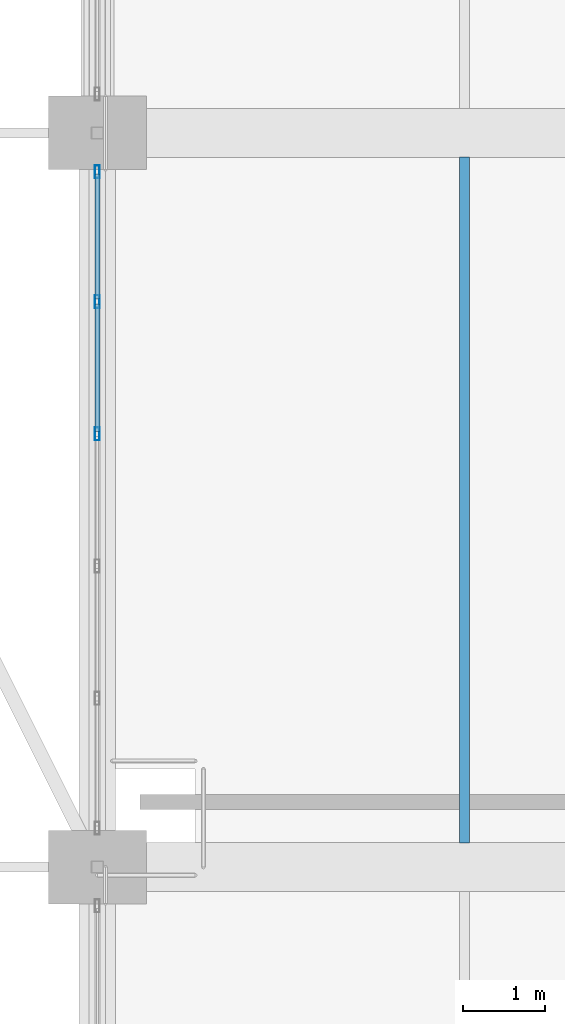
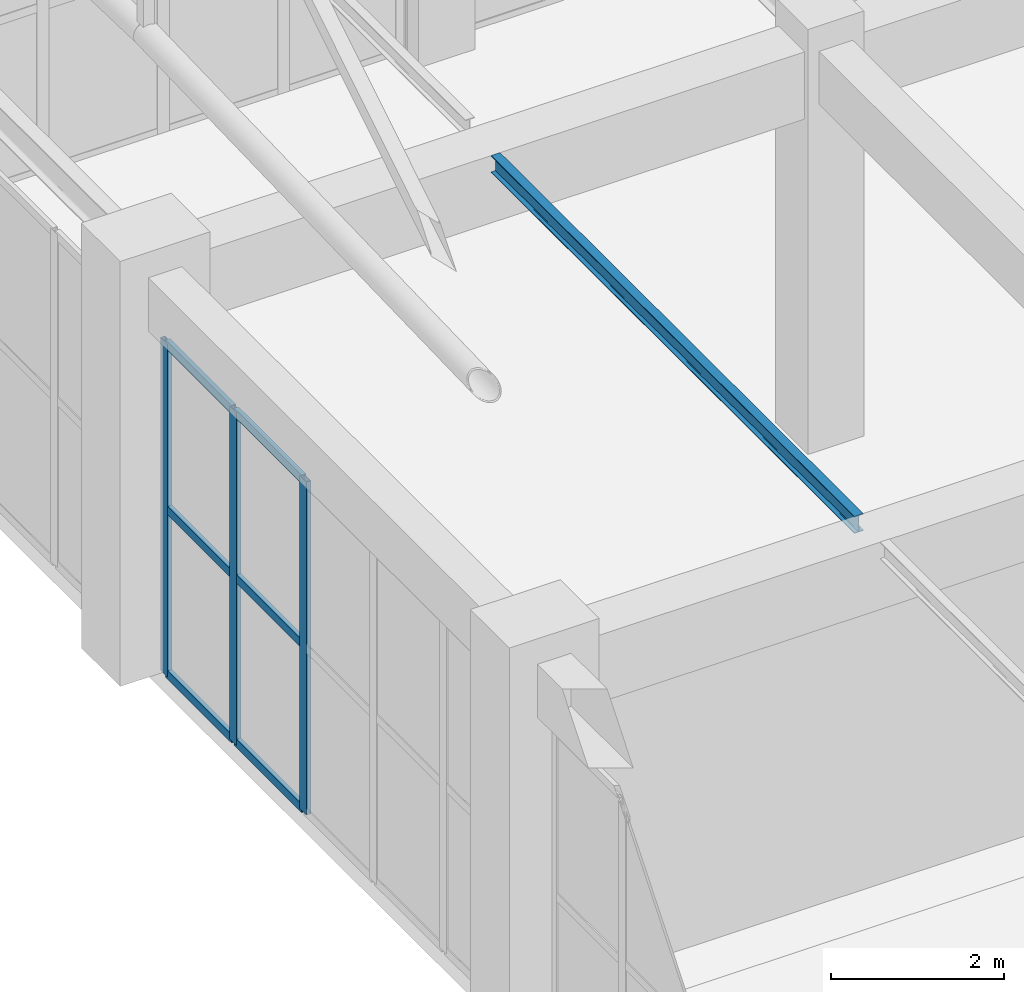
# One storey, part 144 of 223: 9 members, 1 beam, 1 element without a shape of its own.
"""IFC4 building model written with IfcOpenShell, lengths in metres."""

from ifc_helpers import new_model, si_unit, direction, frame, origin, origin_2d, place, context, subcontext, project, spatial, hollow_rectangle, i_section, extrude, material, layer, layer_set, material_profile, profile_set, type_object, element, aggregate, save


model = new_model("IFC4")

# Units and contexts
model_context = context("Model", 3, precision=1e-05, world=origin(), true_north=direction((0.0, 1.0)))
body_context = subcontext(model_context, "Body", "Model", "MODEL_VIEW")
ifc_project = project(units=[si_unit("LENGTHUNIT", "METRE"), si_unit("AREAUNIT", "SQUARE_METRE"), si_unit("VOLUMEUNIT", "CUBIC_METRE"), si_unit("PLANEANGLEUNIT", "RADIAN"), si_unit("MASSUNIT", "GRAM", prefix="KILO")], contexts=[model_context])

# Site, building, storey
site_placement = place(None, origin())
site = spatial("IfcSite", under=ifc_project, at=site_placement, CompositionType="ELEMENT")
building_placement = place(site_placement, origin())
building = spatial("IfcBuilding", under=site, at=building_placement, Name="Dornveld Trade and Exhibition Forum", CompositionType="ELEMENT")
storey_placement = place(building_placement, frame((0.0, 0.0, 6.0)))
storey = spatial("IfcBuildingStorey", under=building, at=storey_placement, Name="L01", CompositionType="ELEMENT", Elevation=6.0)

# Beam
ifc_material_1 = material(Name="Steel S355J2", Category="steel")
ifc_material_profile_1 = material_profile(ifc_material_1, i_section(OverallWidth=0.1201171875, OverallDepth=0.239990234375, WebThickness=0.006103515625, FlangeThickness=0.009765625, FilletRadius=0.014892578125, at=origin_2d()), Name="IPE 240")
ifc_profile_set_1 = profile_set([ifc_material_profile_1], Name="Steel S355J2")
beam_type = type_object("IfcBeamType", Name="BM-JOIST-240", PredefinedType="JOIST", material=ifc_profile_set_1)
beam_placement = place(storey_placement, frame((175.5, 126.297119140625, 5.52001953125), z_axis=(0.0, 1.0, 0.0), x_axis=(-1.0, 0.0, 0.0)))
element("IfcBeam", 1, at=beam_placement, inside=storey, type_object=beam_type, Name="L01 secondary joist 1366", PredefinedType="JOIST", context=body_context, shape_type="SweptSolid", body=[
    extrude(i_section(OverallWidth=0.1201171875, OverallDepth=0.239990234375, WebThickness=0.006103515625, FlangeThickness=0.009765625, FilletRadius=0.014892578125, at=origin_2d()), origin(), (0.0, 0.0, 1.0), 8.40576171875),
])

# Curtain wall, members
ifc_material_2 = material(Name="Dark-bronze anodised aluminium and low-E glass", Category="aluminium")
ifc_layer = layer(ifc_material_2, 0.175048828125)
ifc_layer_set = layer_set([ifc_layer], Name="Dark-bronze anodised aluminium and low-E glass")
curtain_wall_type = type_object("IfcCurtainWallType", Name="CW-SYS-11", PredefinedType="USERDEFINED", material=ifc_layer_set)
curtain_wall_placement = place(storey_placement, origin())
curtain_wall = element("IfcCurtainWall", 2, at=curtain_wall_placement, inside=storey, type_object=curtain_wall_type, Name="L01 unitised curtain wall 11", ObjectType="UNITISED_CURTAIN_WALL", PredefinedType="USERDEFINED")
ifc_material_3 = material(Name="Dark-bronze anodised aluminium", Category="aluminium")
ifc_material_profile_2 = material_profile(ifc_material_3, hollow_rectangle(XDim=0.06005859375, YDim=0.159912109375, WallThickness=0.00390625, at=origin_2d()), Name="RHS 160x60x4")
ifc_profile_set_2 = profile_set([ifc_material_profile_2], Name="Dark-bronze anodised aluminium")
member_type_1 = type_object("IfcMemberType", Name="CW-MUL-160", PredefinedType="MULLION", material=ifc_profile_set_2)
member_1_placement = place(storey_placement, frame((171.0, 131.310791015625, -0.00390625), z_axis=(0.0, 0.0, 1.0), x_axis=(-1.0, 0.0, 0.0)))
member_1 = element("IfcMember", 3, at=member_1_placement, type_object=member_type_1, Name="CW-11 mullion 4", PredefinedType="MULLION", context=body_context, shape_type="SweptSolid", body=[
    extrude(hollow_rectangle(XDim=0.06005859375, YDim=0.159912109375, WallThickness=0.00390625, at=origin_2d()), origin(), (0.0, 0.0, 1.0), 4.703857421875),
])
member_2_placement = place(storey_placement, frame((171.0, 132.932373046875, -0.00390625), z_axis=(0.0, 0.0, 1.0), x_axis=(-1.0, 0.0, 0.0)))
member_2 = element("IfcMember", 4, at=member_2_placement, type_object=member_type_1, Name="CW-11 mullion 5", PredefinedType="MULLION", context=body_context, shape_type="SweptSolid", body=[
    extrude(hollow_rectangle(XDim=0.06005859375, YDim=0.159912109375, WallThickness=0.00390625, at=origin_2d()), origin(), (0.0, 0.0, 1.0), 4.703857421875),
])
member_3_placement = place(storey_placement, frame((171.0, 134.52392578125, -0.00390625), z_axis=(0.0, 0.0, 1.0), x_axis=(-1.0, 0.0, 0.0)))
member_3 = element("IfcMember", 5, at=member_3_placement, type_object=member_type_1, Name="CW-11 mullion 6", PredefinedType="MULLION", context=body_context, shape_type="SweptSolid", body=[
    extrude(hollow_rectangle(XDim=0.06005859375, YDim=0.159912109375, WallThickness=0.00390625, at=origin_2d()), origin(), (0.0, 0.0, 1.0), 4.703857421875),
])
ifc_material_4 = material(Name="Dark-bronze anodised aluminium", Category="aluminium")
ifc_material_profile_3 = material_profile(ifc_material_4, hollow_rectangle(XDim=0.06005859375, YDim=0.1201171875, WallThickness=0.00390625, at=origin_2d()), Name="RHS 120x60x4")
ifc_profile_set_3 = profile_set([ifc_material_profile_3], Name="Dark-bronze anodised aluminium")
member_type_2 = type_object("IfcMemberType", Name="CW-TRN-120", PredefinedType="USERDEFINED", material=ifc_profile_set_3)
member_4_placement = place(storey_placement, frame((171.0, 131.3408203125, 0.02587890625), z_axis=(0.0, 1.0, 0.0), x_axis=(-1.0, 0.0, 0.0)))
member_4 = element("IfcMember", 6, at=member_4_placement, type_object=member_type_2, Name="CW-11 transom 4.1", ObjectType="TRANSOM", PredefinedType="USERDEFINED", context=body_context, shape_type="SweptSolid", body=[
    extrude(hollow_rectangle(XDim=0.06005859375, YDim=0.1201171875, WallThickness=0.00390625, at=origin_2d()), origin(), (0.0, 0.0, 1.0), 1.5615234375),
])
member_5_placement = place(storey_placement, frame((171.0, 131.3408203125, 2.347900390625), z_axis=(0.0, 1.0, 0.0), x_axis=(-1.0, 0.0, 0.0)))
member_5 = element("IfcMember", 7, at=member_5_placement, type_object=member_type_2, Name="CW-11 transom 4.2", ObjectType="TRANSOM", PredefinedType="USERDEFINED", context=body_context, shape_type="SweptSolid", body=[
    extrude(hollow_rectangle(XDim=0.06005859375, YDim=0.1201171875, WallThickness=0.00390625, at=origin_2d()), origin(), (0.0, 0.0, 1.0), 1.5615234375),
])
member_6_placement = place(storey_placement, frame((171.0, 131.3408203125, 4.669921875), z_axis=(0.0, 1.0, 0.0), x_axis=(-1.0, 0.0, 0.0)))
member_6 = element("IfcMember", 8, at=member_6_placement, type_object=member_type_2, Name="CW-11 transom 4.3", ObjectType="TRANSOM", PredefinedType="USERDEFINED", context=body_context, shape_type="SweptSolid", body=[
    extrude(hollow_rectangle(XDim=0.06005859375, YDim=0.1201171875, WallThickness=0.00390625, at=origin_2d()), origin(), (0.0, 0.0, 1.0), 1.5615234375),
])
member_7_placement = place(storey_placement, frame((171.0, 132.96240234375, 0.02587890625), z_axis=(0.0, 1.0, 0.0), x_axis=(-1.0, 0.0, 0.0)))
member_7 = element("IfcMember", 9, at=member_7_placement, type_object=member_type_2, Name="CW-11 transom 5.1", ObjectType="TRANSOM", PredefinedType="USERDEFINED", context=body_context, shape_type="SweptSolid", body=[
    extrude(hollow_rectangle(XDim=0.06005859375, YDim=0.1201171875, WallThickness=0.00390625, at=origin_2d()), origin(), (0.0, 0.0, 1.0), 1.531494140625),
])
member_8_placement = place(storey_placement, frame((171.0, 132.96240234375, 2.347900390625), z_axis=(0.0, 1.0, 0.0), x_axis=(-1.0, 0.0, 0.0)))
member_8 = element("IfcMember", 10, at=member_8_placement, type_object=member_type_2, Name="CW-11 transom 5.2", ObjectType="TRANSOM", PredefinedType="USERDEFINED", context=body_context, shape_type="SweptSolid", body=[
    extrude(hollow_rectangle(XDim=0.06005859375, YDim=0.1201171875, WallThickness=0.00390625, at=origin_2d()), origin(), (0.0, 0.0, 1.0), 1.531494140625),
])
member_9_placement = place(storey_placement, frame((171.0, 132.96240234375, 4.669921875), z_axis=(0.0, 1.0, 0.0), x_axis=(-1.0, 0.0, 0.0)))
member_9 = element("IfcMember", 11, at=member_9_placement, type_object=member_type_2, Name="CW-11 transom 5.3", ObjectType="TRANSOM", PredefinedType="USERDEFINED", context=body_context, shape_type="SweptSolid", body=[
    extrude(hollow_rectangle(XDim=0.06005859375, YDim=0.1201171875, WallThickness=0.00390625, at=origin_2d()), origin(), (0.0, 0.0, 1.0), 1.531494140625),
])
aggregate(curtain_wall, [member_1, member_2, member_3, member_4, member_5, member_6, member_7, member_8, member_9])

save(model, "model.ifc")
